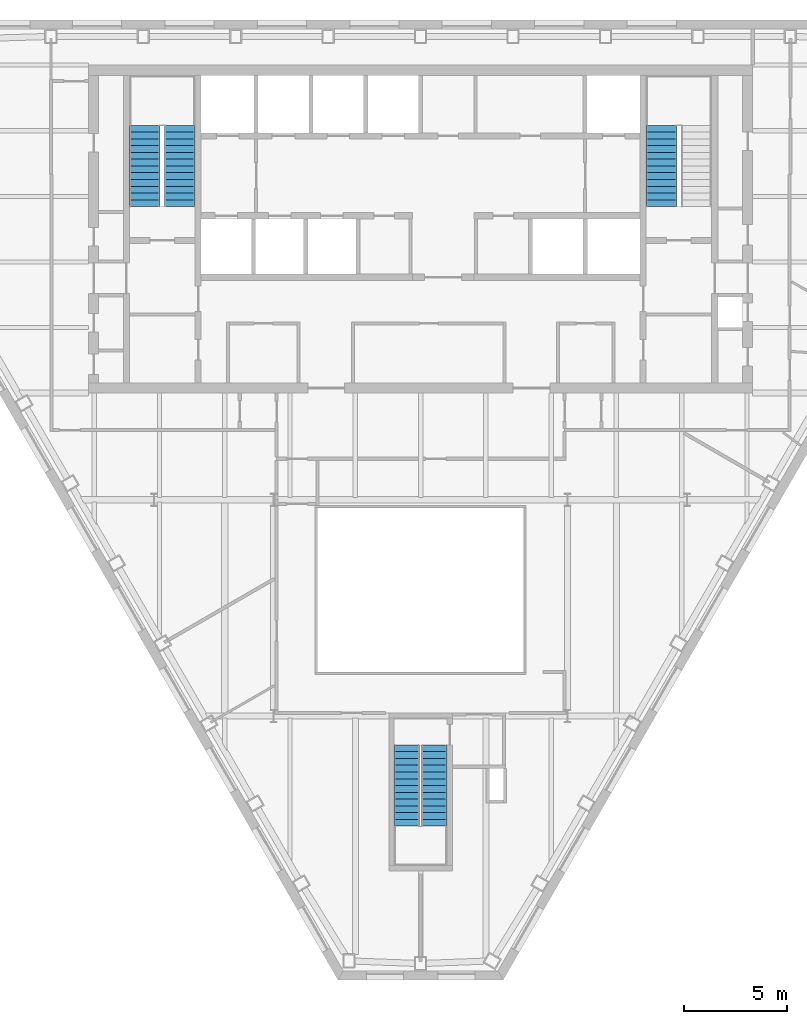
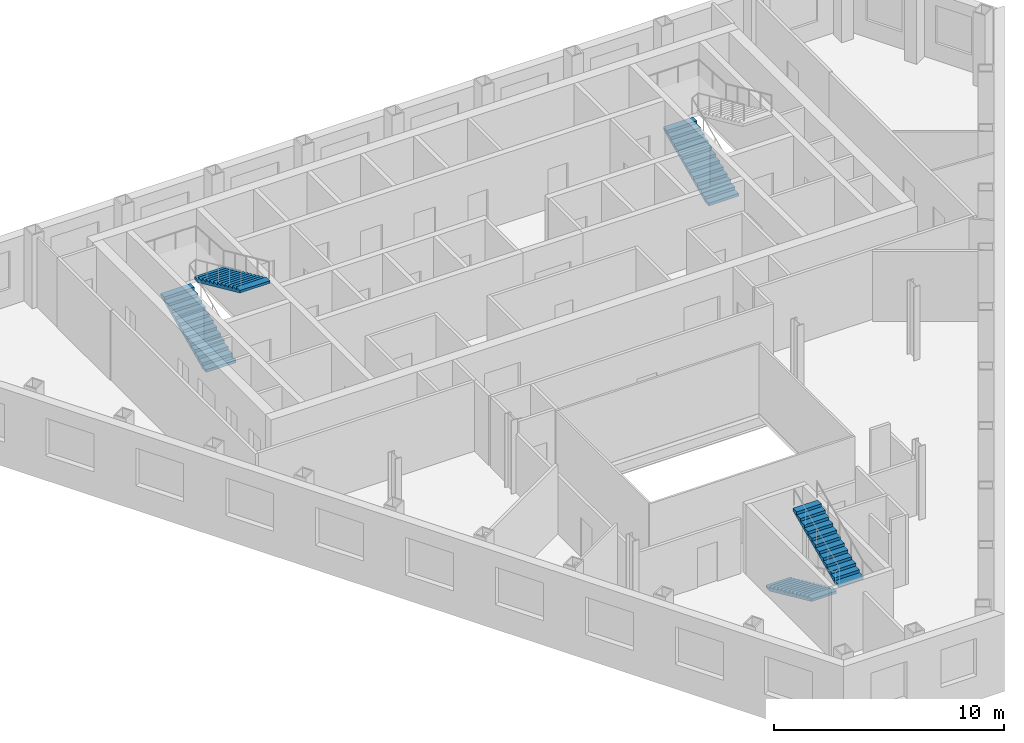
# One storey, part 9 of 11: 5 stair flights, 3 elements without a shape of their own.
"""IFC4 building model written with IfcOpenShell, lengths in metres."""

from ifc_helpers import new_model, si_unit, direction, frame, origin, place, context, subcontext, project, spatial, polygons, material, type_object, element, aggregate, save


model = new_model("IFC4")

# Units and contexts
model_context = context("Model", 3, precision=1e-05, world=origin(), true_north=direction((0.0, 1.0)))
body_context = subcontext(model_context, "Body", "Model", "MODEL_VIEW")
ifc_project = project(units=[si_unit("LENGTHUNIT", "METRE"), si_unit("AREAUNIT", "SQUARE_METRE"), si_unit("VOLUMEUNIT", "CUBIC_METRE"), si_unit("PLANEANGLEUNIT", "RADIAN"), si_unit("MASSUNIT", "GRAM", prefix="KILO")], contexts=[model_context])

# Site, building, storey
site_placement = place(None, origin())
site = spatial("IfcSite", under=ifc_project, at=site_placement, CompositionType="ELEMENT")
building_placement = place(site_placement, origin())
building = spatial("IfcBuilding", under=site, at=building_placement, Name="Njiva Tower", CompositionType="ELEMENT")
storey_placement = place(building_placement, frame((0.0, 0.0, 182.7)))
storey = spatial("IfcBuildingStorey", under=building, at=storey_placement, Name="L40", CompositionType="ELEMENT", Elevation=182.7)

# Stair, stair flights
ifc_material = material(Name="Concrete C40/50", Category="concrete")
stair_type_1 = type_object("IfcStairType", Name="ST1 Exit stair 1250", PredefinedType="HALF_TURN_STAIR", material=ifc_material)
stair_1_placement = place(storey_placement, origin())
stair_1 = element("IfcStair", 1, at=stair_1_placement, inside=storey, type_object=stair_type_1, Name="Stair C", PredefinedType="HALF_TURN_STAIR")
stair_flight_type_1 = type_object("IfcStairFlightType", Name="FL1 Stair flight 1250", PredefinedType="STRAIGHT", material=ifc_material)
stair_flight_1_placement = place(storey_placement, frame((-0.675, -15.16, 0.0), z_axis=(0.0, 0.0, 1.0), x_axis=(0.0, -1.0, 0.0)))
stair_flight_1 = element("IfcStairFlight", 2, at=stair_flight_1_placement, type_object=stair_flight_type_1, Name="ST-C flight 1", NumberOfRisers=13, NumberOfTreads=12, PredefinedType="STRAIGHT", RiserHeight=0.15, TreadLength=0.33, context=body_context, shape_type="Tessellation", body=[
    polygons([(0.0, 0.625, 0.0), (0.0, 0.3125, 0.0), (0.0, 0.0, 0.0), (0.0, -0.3125, 0.0), (0.0, -0.625, 0.0), (0.0, 0.625, 0.15), (0.0, 0.3125, 0.15), (0.0, 0.0, 0.15), (0.0, -0.3125, 0.15), (0.0, -0.625, 0.15), (0.33, 0.625, 0.15), (0.33, 0.3125, 0.15), (0.33, 0.0, 0.15), (0.33, -0.3125, 0.15), (0.33, -0.625, 0.15), (0.33, 0.625, 0.3), (0.33, 0.3125, 0.3), (0.33, 0.0, 0.3), (0.33, -0.3125, 0.3), (0.33, -0.625, 0.3), (0.66, 0.625, 0.3), (0.66, 0.3125, 0.3), (0.66, 0.0, 0.3), (0.66, -0.3125, 0.3), (0.66, -0.625, 0.3), (0.66, 0.625, 0.45), (0.66, 0.3125, 0.45), (0.66, 0.0, 0.45), (0.66, -0.3125, 0.45), (0.66, -0.625, 0.45), (0.99, 0.625, 0.45), (0.99, 0.3125, 0.45), (0.99, 0.0, 0.45), (0.99, -0.3125, 0.45), (0.99, -0.625, 0.45), (0.99, 0.625, 0.6), (0.99, 0.3125, 0.6), (0.99, 0.0, 0.6), (0.99, -0.3125, 0.6), (0.99, -0.625, 0.6), (1.32, 0.625, 0.6), (1.32, 0.3125, 0.6), (1.32, 0.0, 0.6), (1.32, -0.3125, 0.6), (1.32, -0.625, 0.6), (1.32, 0.625, 0.75), (1.32, 0.3125, 0.75), (1.32, 0.0, 0.75), (1.32, -0.3125, 0.75), (1.32, -0.625, 0.75), (1.65, 0.625, 0.75), (1.65, 0.3125, 0.75), (1.65, 0.0, 0.75), (1.65, -0.3125, 0.75), (1.65, -0.625, 0.75), (1.65, 0.625, 0.9), (1.65, 0.3125, 0.9), (1.65, 0.0, 0.9), (1.65, -0.3125, 0.9), (1.65, -0.625, 0.9), (1.98, 0.625, 0.9), (1.98, 0.3125, 0.9), (1.98, 0.0, 0.9), (1.98, -0.3125, 0.9), (1.98, -0.625, 0.9), (1.98, 0.625, 1.05), (1.98, 0.3125, 1.05), (1.98, 0.0, 1.05), (1.98, -0.3125, 1.05), (1.98, -0.625, 1.05), (2.31, 0.625, 1.05), (2.31, 0.3125, 1.05), (2.31, 0.0, 1.05), (2.31, -0.3125, 1.05), (2.31, -0.625, 1.05), (2.31, 0.625, 1.2), (2.31, 0.3125, 1.2), (2.31, 0.0, 1.2), (2.31, -0.3125, 1.2), (2.31, -0.625, 1.2), (2.64, 0.625, 1.2), (2.64, 0.3125, 1.2), (2.64, 0.0, 1.2), (2.64, -0.3125, 1.2), (2.64, -0.625, 1.2), (2.64, 0.625, 1.35), (2.64, 0.3125, 1.35), (2.64, 0.0, 1.35), (2.64, -0.3125, 1.35), (2.64, -0.625, 1.35), (2.97, 0.625, 1.35), (2.97, 0.3125, 1.35), (2.97, 0.0, 1.35), (2.97, -0.3125, 1.35), (2.97, -0.625, 1.35), (2.97, 0.625, 1.5), (2.97, 0.3125, 1.5), (2.97, 0.0, 1.5), (2.97, -0.3125, 1.5), (2.97, -0.625, 1.5), (3.3, 0.625, 1.5), (3.3, 0.3125, 1.5), (3.3, 0.0, 1.5), (3.3, -0.3125, 1.5), (3.3, -0.625, 1.5), (3.3, 0.625, 1.65), (3.3, 0.3125, 1.65), (3.3, 0.0, 1.65), (3.3, -0.3125, 1.65), (3.3, -0.625, 1.65), (3.63, 0.625, 1.65), (3.63, 0.3125, 1.65), (3.63, 0.0, 1.65), (3.63, -0.3125, 1.65), (3.63, -0.625, 1.65), (3.63, 0.625, 1.8), (3.63, 0.3125, 1.8), (3.63, 0.0, 1.8), (3.63, -0.3125, 1.8), (3.63, -0.625, 1.8), (3.96, 0.625, 1.8), (3.96, 0.3125, 1.8), (3.96, 0.0, 1.8), (3.96, -0.3125, 1.8), (3.96, -0.625, 1.8), (3.96, 0.625, 1.6682), (3.96, 0.3125, 1.6682), (3.96, 0.0, 1.6682), (3.96, -0.3125, 1.6682), (3.96, -0.625, 1.6682), (0.29, 0.625, 0.0), (0.29, 0.3125, 0.0), (0.29, 0.0, 0.0), (0.29, -0.3125, 0.0), (0.29, -0.625, 0.0)], [[[1, 6, 11, 16, 21, 26, 31, 36, 41, 46, 51, 56, 61, 66, 71, 76, 81, 86, 91, 96, 101, 106, 111, 116, 121, 126, 131]], [[135, 130, 125, 120, 115, 110, 105, 100, 95, 90, 85, 80, 75, 70, 65, 60, 55, 50, 45, 40, 35, 30, 25, 20, 15, 10, 5]], [[6, 1, 2, 7]], [[7, 2, 3, 8]], [[8, 3, 4, 9]], [[9, 4, 5, 10]], [[11, 6, 7, 12]], [[12, 7, 8, 13]], [[13, 8, 9, 14]], [[14, 9, 10, 15]], [[16, 11, 12, 17]], [[17, 12, 13, 18]], [[18, 13, 14, 19]], [[19, 14, 15, 20]], [[21, 16, 17, 22]], [[22, 17, 18, 23]], [[23, 18, 19, 24]], [[24, 19, 20, 25]], [[26, 21, 22, 27]], [[27, 22, 23, 28]], [[28, 23, 24, 29]], [[29, 24, 25, 30]], [[31, 26, 27, 32]], [[32, 27, 28, 33]], [[33, 28, 29, 34]], [[34, 29, 30, 35]], [[36, 31, 32, 37]], [[37, 32, 33, 38]], [[38, 33, 34, 39]], [[39, 34, 35, 40]], [[41, 36, 37, 42]], [[42, 37, 38, 43]], [[43, 38, 39, 44]], [[44, 39, 40, 45]], [[46, 41, 42, 47]], [[47, 42, 43, 48]], [[48, 43, 44, 49]], [[49, 44, 45, 50]], [[51, 46, 47, 52]], [[52, 47, 48, 53]], [[53, 48, 49, 54]], [[54, 49, 50, 55]], [[56, 51, 52, 57]], [[57, 52, 53, 58]], [[58, 53, 54, 59]], [[59, 54, 55, 60]], [[61, 56, 57, 62]], [[62, 57, 58, 63]], [[63, 58, 59, 64]], [[64, 59, 60, 65]], [[66, 61, 62, 67]], [[67, 62, 63, 68]], [[68, 63, 64, 69]], [[69, 64, 65, 70]], [[71, 66, 67, 72]], [[72, 67, 68, 73]], [[73, 68, 69, 74]], [[74, 69, 70, 75]], [[76, 71, 72, 77]], [[77, 72, 73, 78]], [[78, 73, 74, 79]], [[79, 74, 75, 80]], [[81, 76, 77, 82]], [[82, 77, 78, 83]], [[83, 78, 79, 84]], [[84, 79, 80, 85]], [[86, 81, 82, 87]], [[87, 82, 83, 88]], [[88, 83, 84, 89]], [[89, 84, 85, 90]], [[91, 86, 87, 92]], [[92, 87, 88, 93]], [[93, 88, 89, 94]], [[94, 89, 90, 95]], [[96, 91, 92, 97]], [[97, 92, 93, 98]], [[98, 93, 94, 99]], [[99, 94, 95, 100]], [[101, 96, 97, 102]], [[102, 97, 98, 103]], [[103, 98, 99, 104]], [[104, 99, 100, 105]], [[106, 101, 102, 107]], [[107, 102, 103, 108]], [[108, 103, 104, 109]], [[109, 104, 105, 110]], [[111, 106, 107, 112]], [[112, 107, 108, 113]], [[113, 108, 109, 114]], [[114, 109, 110, 115]], [[116, 111, 112, 117]], [[117, 112, 113, 118]], [[118, 113, 114, 119]], [[119, 114, 115, 120]], [[121, 116, 117, 122]], [[122, 117, 118, 123]], [[123, 118, 119, 124]], [[124, 119, 120, 125]], [[126, 121, 122, 127]], [[127, 122, 123, 128]], [[128, 123, 124, 129]], [[129, 124, 125, 130]], [[131, 126, 127, 132]], [[132, 127, 128, 133]], [[133, 128, 129, 134]], [[134, 129, 130, 135]], [[1, 131, 132, 2]], [[2, 132, 133, 3]], [[3, 133, 134, 4]], [[4, 134, 135, 5]]], closed=True),
])
stair_flight_2_placement = place(storey_placement, frame((0.675, -19.12, 1.95), z_axis=(0.0, 0.0, 1.0), x_axis=(0.0, 1.0, 0.0)))
stair_flight_2 = element("IfcStairFlight", 3, at=stair_flight_2_placement, type_object=stair_flight_type_1, Name="ST-C flight 2", NumberOfRisers=13, NumberOfTreads=12, PredefinedType="STRAIGHT", RiserHeight=0.15, TreadLength=0.33, context=body_context, shape_type="Tessellation", body=[
    polygons([(0.0, 0.625, 0.0), (0.0, 0.3125, 0.0), (0.0, 0.0, 0.0), (0.0, -0.3125, 0.0), (0.0, -0.625, 0.0), (0.0, 0.625, 0.15), (0.0, 0.3125, 0.15), (0.0, 0.0, 0.15), (0.0, -0.3125, 0.15), (0.0, -0.625, 0.15), (0.33, 0.625, 0.15), (0.33, 0.3125, 0.15), (0.33, 0.0, 0.15), (0.33, -0.3125, 0.15), (0.33, -0.625, 0.15), (0.33, 0.625, 0.3), (0.33, 0.3125, 0.3), (0.33, 0.0, 0.3), (0.33, -0.3125, 0.3), (0.33, -0.625, 0.3), (0.66, 0.625, 0.3), (0.66, 0.3125, 0.3), (0.66, 0.0, 0.3), (0.66, -0.3125, 0.3), (0.66, -0.625, 0.3), (0.66, 0.625, 0.45), (0.66, 0.3125, 0.45), (0.66, 0.0, 0.45), (0.66, -0.3125, 0.45), (0.66, -0.625, 0.45), (0.99, 0.625, 0.45), (0.99, 0.3125, 0.45), (0.99, 0.0, 0.45), (0.99, -0.3125, 0.45), (0.99, -0.625, 0.45), (0.99, 0.625, 0.6), (0.99, 0.3125, 0.6), (0.99, 0.0, 0.6), (0.99, -0.3125, 0.6), (0.99, -0.625, 0.6), (1.32, 0.625, 0.6), (1.32, 0.3125, 0.6), (1.32, 0.0, 0.6), (1.32, -0.3125, 0.6), (1.32, -0.625, 0.6), (1.32, 0.625, 0.75), (1.32, 0.3125, 0.75), (1.32, 0.0, 0.75), (1.32, -0.3125, 0.75), (1.32, -0.625, 0.75), (1.65, 0.625, 0.75), (1.65, 0.3125, 0.75), (1.65, 0.0, 0.75), (1.65, -0.3125, 0.75), (1.65, -0.625, 0.75), (1.65, 0.625, 0.9), (1.65, 0.3125, 0.9), (1.65, 0.0, 0.9), (1.65, -0.3125, 0.9), (1.65, -0.625, 0.9), (1.98, 0.625, 0.9), (1.98, 0.3125, 0.9), (1.98, 0.0, 0.9), (1.98, -0.3125, 0.9), (1.98, -0.625, 0.9), (1.98, 0.625, 1.05), (1.98, 0.3125, 1.05), (1.98, 0.0, 1.05), (1.98, -0.3125, 1.05), (1.98, -0.625, 1.05), (2.31, 0.625, 1.05), (2.31, 0.3125, 1.05), (2.31, 0.0, 1.05), (2.31, -0.3125, 1.05), (2.31, -0.625, 1.05), (2.31, 0.625, 1.2), (2.31, 0.3125, 1.2), (2.31, 0.0, 1.2), (2.31, -0.3125, 1.2), (2.31, -0.625, 1.2), (2.64, 0.625, 1.2), (2.64, 0.3125, 1.2), (2.64, 0.0, 1.2), (2.64, -0.3125, 1.2), (2.64, -0.625, 1.2), (2.64, 0.625, 1.35), (2.64, 0.3125, 1.35), (2.64, 0.0, 1.35), (2.64, -0.3125, 1.35), (2.64, -0.625, 1.35), (2.97, 0.625, 1.35), (2.97, 0.3125, 1.35), (2.97, 0.0, 1.35), (2.97, -0.3125, 1.35), (2.97, -0.625, 1.35), (2.97, 0.625, 1.5), (2.97, 0.3125, 1.5), (2.97, 0.0, 1.5), (2.97, -0.3125, 1.5), (2.97, -0.625, 1.5), (3.3, 0.625, 1.5), (3.3, 0.3125, 1.5), (3.3, 0.0, 1.5), (3.3, -0.3125, 1.5), (3.3, -0.625, 1.5), (3.3, 0.625, 1.65), (3.3, 0.3125, 1.65), (3.3, 0.0, 1.65), (3.3, -0.3125, 1.65), (3.3, -0.625, 1.65), (3.63, 0.625, 1.65), (3.63, 0.3125, 1.65), (3.63, 0.0, 1.65), (3.63, -0.3125, 1.65), (3.63, -0.625, 1.65), (3.63, 0.625, 1.8), (3.63, 0.3125, 1.8), (3.63, 0.0, 1.8), (3.63, -0.3125, 1.8), (3.63, -0.625, 1.8), (3.96, 0.625, 1.8), (3.96, 0.3125, 1.8), (3.96, 0.0, 1.8), (3.96, -0.3125, 1.8), (3.96, -0.625, 1.8), (3.96, 0.625, 1.6682), (3.96, 0.3125, 1.6682), (3.96, 0.0, 1.6682), (3.96, -0.3125, 1.6682), (3.96, -0.625, 1.6682), (0.29, 0.625, 0.0), (0.29, 0.3125, 0.0), (0.29, 0.0, 0.0), (0.29, -0.3125, 0.0), (0.29, -0.625, 0.0)], [[[1, 6, 11, 16, 21, 26, 31, 36, 41, 46, 51, 56, 61, 66, 71, 76, 81, 86, 91, 96, 101, 106, 111, 116, 121, 126, 131]], [[135, 130, 125, 120, 115, 110, 105, 100, 95, 90, 85, 80, 75, 70, 65, 60, 55, 50, 45, 40, 35, 30, 25, 20, 15, 10, 5]], [[6, 1, 2, 7]], [[7, 2, 3, 8]], [[8, 3, 4, 9]], [[9, 4, 5, 10]], [[11, 6, 7, 12]], [[12, 7, 8, 13]], [[13, 8, 9, 14]], [[14, 9, 10, 15]], [[16, 11, 12, 17]], [[17, 12, 13, 18]], [[18, 13, 14, 19]], [[19, 14, 15, 20]], [[21, 16, 17, 22]], [[22, 17, 18, 23]], [[23, 18, 19, 24]], [[24, 19, 20, 25]], [[26, 21, 22, 27]], [[27, 22, 23, 28]], [[28, 23, 24, 29]], [[29, 24, 25, 30]], [[31, 26, 27, 32]], [[32, 27, 28, 33]], [[33, 28, 29, 34]], [[34, 29, 30, 35]], [[36, 31, 32, 37]], [[37, 32, 33, 38]], [[38, 33, 34, 39]], [[39, 34, 35, 40]], [[41, 36, 37, 42]], [[42, 37, 38, 43]], [[43, 38, 39, 44]], [[44, 39, 40, 45]], [[46, 41, 42, 47]], [[47, 42, 43, 48]], [[48, 43, 44, 49]], [[49, 44, 45, 50]], [[51, 46, 47, 52]], [[52, 47, 48, 53]], [[53, 48, 49, 54]], [[54, 49, 50, 55]], [[56, 51, 52, 57]], [[57, 52, 53, 58]], [[58, 53, 54, 59]], [[59, 54, 55, 60]], [[61, 56, 57, 62]], [[62, 57, 58, 63]], [[63, 58, 59, 64]], [[64, 59, 60, 65]], [[66, 61, 62, 67]], [[67, 62, 63, 68]], [[68, 63, 64, 69]], [[69, 64, 65, 70]], [[71, 66, 67, 72]], [[72, 67, 68, 73]], [[73, 68, 69, 74]], [[74, 69, 70, 75]], [[76, 71, 72, 77]], [[77, 72, 73, 78]], [[78, 73, 74, 79]], [[79, 74, 75, 80]], [[81, 76, 77, 82]], [[82, 77, 78, 83]], [[83, 78, 79, 84]], [[84, 79, 80, 85]], [[86, 81, 82, 87]], [[87, 82, 83, 88]], [[88, 83, 84, 89]], [[89, 84, 85, 90]], [[91, 86, 87, 92]], [[92, 87, 88, 93]], [[93, 88, 89, 94]], [[94, 89, 90, 95]], [[96, 91, 92, 97]], [[97, 92, 93, 98]], [[98, 93, 94, 99]], [[99, 94, 95, 100]], [[101, 96, 97, 102]], [[102, 97, 98, 103]], [[103, 98, 99, 104]], [[104, 99, 100, 105]], [[106, 101, 102, 107]], [[107, 102, 103, 108]], [[108, 103, 104, 109]], [[109, 104, 105, 110]], [[111, 106, 107, 112]], [[112, 107, 108, 113]], [[113, 108, 109, 114]], [[114, 109, 110, 115]], [[116, 111, 112, 117]], [[117, 112, 113, 118]], [[118, 113, 114, 119]], [[119, 114, 115, 120]], [[121, 116, 117, 122]], [[122, 117, 118, 123]], [[123, 118, 119, 124]], [[124, 119, 120, 125]], [[126, 121, 122, 127]], [[127, 122, 123, 128]], [[128, 123, 124, 129]], [[129, 124, 125, 130]], [[131, 126, 127, 132]], [[132, 127, 128, 133]], [[133, 128, 129, 134]], [[134, 129, 130, 135]], [[1, 131, 132, 2]], [[2, 132, 133, 3]], [[3, 133, 134, 4]], [[4, 134, 135, 5]]], closed=True),
])
aggregate(stair_1, [stair_flight_1, stair_flight_2])

stair_type_2 = type_object("IfcStairType", Name="ST4 Exit stair 1500", PredefinedType="HALF_TURN_STAIR", material=ifc_material)
stair_2_placement = place(storey_placement, origin())
stair_2 = element("IfcStair", 4, at=stair_2_placement, inside=storey, type_object=stair_type_2, Name="Stair A", PredefinedType="HALF_TURN_STAIR")
stair_flight_type_2 = type_object("IfcStairFlightType", Name="FL4 Stair flight 1500", PredefinedType="STRAIGHT", material=ifc_material)
stair_flight_3_placement = place(storey_placement, frame((-13.45, 11.1, 0.0), z_axis=(0.0, 0.0, 1.0), x_axis=(0.0, 1.0, 0.0)))
stair_flight_3 = element("IfcStairFlight", 5, at=stair_flight_3_placement, type_object=stair_flight_type_2, Name="ST-A flight 1", NumberOfRisers=13, NumberOfTreads=12, PredefinedType="STRAIGHT", RiserHeight=0.15, TreadLength=0.33, context=body_context, shape_type="Tessellation", body=[
    polygons([(0.0, 0.75, 0.0), (0.0, 0.375, 0.0), (0.0, 0.0, 0.0), (0.0, -0.375, 0.0), (0.0, -0.75, 0.0), (0.0, 0.75, 0.15), (0.0, 0.375, 0.15), (0.0, 0.0, 0.15), (0.0, -0.375, 0.15), (0.0, -0.75, 0.15), (0.33, 0.75, 0.15), (0.33, 0.375, 0.15), (0.33, 0.0, 0.15), (0.33, -0.375, 0.15), (0.33, -0.75, 0.15), (0.33, 0.75, 0.3), (0.33, 0.375, 0.3), (0.33, 0.0, 0.3), (0.33, -0.375, 0.3), (0.33, -0.75, 0.3), (0.66, 0.75, 0.3), (0.66, 0.375, 0.3), (0.66, 0.0, 0.3), (0.66, -0.375, 0.3), (0.66, -0.75, 0.3), (0.66, 0.75, 0.45), (0.66, 0.375, 0.45), (0.66, 0.0, 0.45), (0.66, -0.375, 0.45), (0.66, -0.75, 0.45), (0.99, 0.75, 0.45), (0.99, 0.375, 0.45), (0.99, 0.0, 0.45), (0.99, -0.375, 0.45), (0.99, -0.75, 0.45), (0.99, 0.75, 0.6), (0.99, 0.375, 0.6), (0.99, 0.0, 0.6), (0.99, -0.375, 0.6), (0.99, -0.75, 0.6), (1.32, 0.75, 0.6), (1.32, 0.375, 0.6), (1.32, 0.0, 0.6), (1.32, -0.375, 0.6), (1.32, -0.75, 0.6), (1.32, 0.75, 0.75), (1.32, 0.375, 0.75), (1.32, 0.0, 0.75), (1.32, -0.375, 0.75), (1.32, -0.75, 0.75), (1.65, 0.75, 0.75), (1.65, 0.375, 0.75), (1.65, 0.0, 0.75), (1.65, -0.375, 0.75), (1.65, -0.75, 0.75), (1.65, 0.75, 0.9), (1.65, 0.375, 0.9), (1.65, 0.0, 0.9), (1.65, -0.375, 0.9), (1.65, -0.75, 0.9), (1.98, 0.75, 0.9), (1.98, 0.375, 0.9), (1.98, 0.0, 0.9), (1.98, -0.375, 0.9), (1.98, -0.75, 0.9), (1.98, 0.75, 1.05), (1.98, 0.375, 1.05), (1.98, 0.0, 1.05), (1.98, -0.375, 1.05), (1.98, -0.75, 1.05), (2.31, 0.75, 1.05), (2.31, 0.375, 1.05), (2.31, 0.0, 1.05), (2.31, -0.375, 1.05), (2.31, -0.75, 1.05), (2.31, 0.75, 1.2), (2.31, 0.375, 1.2), (2.31, 0.0, 1.2), (2.31, -0.375, 1.2), (2.31, -0.75, 1.2), (2.64, 0.75, 1.2), (2.64, 0.375, 1.2), (2.64, 0.0, 1.2), (2.64, -0.375, 1.2), (2.64, -0.75, 1.2), (2.64, 0.75, 1.35), (2.64, 0.375, 1.35), (2.64, 0.0, 1.35), (2.64, -0.375, 1.35), (2.64, -0.75, 1.35), (2.97, 0.75, 1.35), (2.97, 0.375, 1.35), (2.97, 0.0, 1.35), (2.97, -0.375, 1.35), (2.97, -0.75, 1.35), (2.97, 0.75, 1.5), (2.97, 0.375, 1.5), (2.97, 0.0, 1.5), (2.97, -0.375, 1.5), (2.97, -0.75, 1.5), (3.3, 0.75, 1.5), (3.3, 0.375, 1.5), (3.3, 0.0, 1.5), (3.3, -0.375, 1.5), (3.3, -0.75, 1.5), (3.3, 0.75, 1.65), (3.3, 0.375, 1.65), (3.3, 0.0, 1.65), (3.3, -0.375, 1.65), (3.3, -0.75, 1.65), (3.63, 0.75, 1.65), (3.63, 0.375, 1.65), (3.63, 0.0, 1.65), (3.63, -0.375, 1.65), (3.63, -0.75, 1.65), (3.63, 0.75, 1.8), (3.63, 0.375, 1.8), (3.63, 0.0, 1.8), (3.63, -0.375, 1.8), (3.63, -0.75, 1.8), (3.96, 0.75, 1.8), (3.96, 0.375, 1.8), (3.96, 0.0, 1.8), (3.96, -0.375, 1.8), (3.96, -0.75, 1.8), (3.96, 0.75, 1.6682), (3.96, 0.375, 1.6682), (3.96, 0.0, 1.6682), (3.96, -0.375, 1.6682), (3.96, -0.75, 1.6682), (0.29, 0.75, 0.0), (0.29, 0.375, 0.0), (0.29, 0.0, 0.0), (0.29, -0.375, 0.0), (0.29, -0.75, 0.0)], [[[1, 6, 11, 16, 21, 26, 31, 36, 41, 46, 51, 56, 61, 66, 71, 76, 81, 86, 91, 96, 101, 106, 111, 116, 121, 126, 131]], [[135, 130, 125, 120, 115, 110, 105, 100, 95, 90, 85, 80, 75, 70, 65, 60, 55, 50, 45, 40, 35, 30, 25, 20, 15, 10, 5]], [[6, 1, 2, 7]], [[7, 2, 3, 8]], [[8, 3, 4, 9]], [[9, 4, 5, 10]], [[11, 6, 7, 12]], [[12, 7, 8, 13]], [[13, 8, 9, 14]], [[14, 9, 10, 15]], [[16, 11, 12, 17]], [[17, 12, 13, 18]], [[18, 13, 14, 19]], [[19, 14, 15, 20]], [[21, 16, 17, 22]], [[22, 17, 18, 23]], [[23, 18, 19, 24]], [[24, 19, 20, 25]], [[26, 21, 22, 27]], [[27, 22, 23, 28]], [[28, 23, 24, 29]], [[29, 24, 25, 30]], [[31, 26, 27, 32]], [[32, 27, 28, 33]], [[33, 28, 29, 34]], [[34, 29, 30, 35]], [[36, 31, 32, 37]], [[37, 32, 33, 38]], [[38, 33, 34, 39]], [[39, 34, 35, 40]], [[41, 36, 37, 42]], [[42, 37, 38, 43]], [[43, 38, 39, 44]], [[44, 39, 40, 45]], [[46, 41, 42, 47]], [[47, 42, 43, 48]], [[48, 43, 44, 49]], [[49, 44, 45, 50]], [[51, 46, 47, 52]], [[52, 47, 48, 53]], [[53, 48, 49, 54]], [[54, 49, 50, 55]], [[56, 51, 52, 57]], [[57, 52, 53, 58]], [[58, 53, 54, 59]], [[59, 54, 55, 60]], [[61, 56, 57, 62]], [[62, 57, 58, 63]], [[63, 58, 59, 64]], [[64, 59, 60, 65]], [[66, 61, 62, 67]], [[67, 62, 63, 68]], [[68, 63, 64, 69]], [[69, 64, 65, 70]], [[71, 66, 67, 72]], [[72, 67, 68, 73]], [[73, 68, 69, 74]], [[74, 69, 70, 75]], [[76, 71, 72, 77]], [[77, 72, 73, 78]], [[78, 73, 74, 79]], [[79, 74, 75, 80]], [[81, 76, 77, 82]], [[82, 77, 78, 83]], [[83, 78, 79, 84]], [[84, 79, 80, 85]], [[86, 81, 82, 87]], [[87, 82, 83, 88]], [[88, 83, 84, 89]], [[89, 84, 85, 90]], [[91, 86, 87, 92]], [[92, 87, 88, 93]], [[93, 88, 89, 94]], [[94, 89, 90, 95]], [[96, 91, 92, 97]], [[97, 92, 93, 98]], [[98, 93, 94, 99]], [[99, 94, 95, 100]], [[101, 96, 97, 102]], [[102, 97, 98, 103]], [[103, 98, 99, 104]], [[104, 99, 100, 105]], [[106, 101, 102, 107]], [[107, 102, 103, 108]], [[108, 103, 104, 109]], [[109, 104, 105, 110]], [[111, 106, 107, 112]], [[112, 107, 108, 113]], [[113, 108, 109, 114]], [[114, 109, 110, 115]], [[116, 111, 112, 117]], [[117, 112, 113, 118]], [[118, 113, 114, 119]], [[119, 114, 115, 120]], [[121, 116, 117, 122]], [[122, 117, 118, 123]], [[123, 118, 119, 124]], [[124, 119, 120, 125]], [[126, 121, 122, 127]], [[127, 122, 123, 128]], [[128, 123, 124, 129]], [[129, 124, 125, 130]], [[131, 126, 127, 132]], [[132, 127, 128, 133]], [[133, 128, 129, 134]], [[134, 129, 130, 135]], [[1, 131, 132, 2]], [[2, 132, 133, 3]], [[3, 133, 134, 4]], [[4, 134, 135, 5]]], closed=True),
])
stair_flight_4_placement = place(storey_placement, frame((-11.75, 15.06, 1.95), z_axis=(0.0, 0.0, 1.0), x_axis=(0.0, -1.0, 0.0)))
stair_flight_4 = element("IfcStairFlight", 6, at=stair_flight_4_placement, type_object=stair_flight_type_2, Name="ST-A flight 2", NumberOfRisers=13, NumberOfTreads=12, PredefinedType="STRAIGHT", RiserHeight=0.15, TreadLength=0.33, context=body_context, shape_type="Tessellation", body=[
    polygons([(0.0, 0.75, 0.0), (0.0, 0.375, 0.0), (0.0, 0.0, 0.0), (0.0, -0.375, 0.0), (0.0, -0.75, 0.0), (0.0, 0.75, 0.15), (0.0, 0.375, 0.15), (0.0, 0.0, 0.15), (0.0, -0.375, 0.15), (0.0, -0.75, 0.15), (0.33, 0.75, 0.15), (0.33, 0.375, 0.15), (0.33, 0.0, 0.15), (0.33, -0.375, 0.15), (0.33, -0.75, 0.15), (0.33, 0.75, 0.3), (0.33, 0.375, 0.3), (0.33, 0.0, 0.3), (0.33, -0.375, 0.3), (0.33, -0.75, 0.3), (0.66, 0.75, 0.3), (0.66, 0.375, 0.3), (0.66, 0.0, 0.3), (0.66, -0.375, 0.3), (0.66, -0.75, 0.3), (0.66, 0.75, 0.45), (0.66, 0.375, 0.45), (0.66, 0.0, 0.45), (0.66, -0.375, 0.45), (0.66, -0.75, 0.45), (0.99, 0.75, 0.45), (0.99, 0.375, 0.45), (0.99, 0.0, 0.45), (0.99, -0.375, 0.45), (0.99, -0.75, 0.45), (0.99, 0.75, 0.6), (0.99, 0.375, 0.6), (0.99, 0.0, 0.6), (0.99, -0.375, 0.6), (0.99, -0.75, 0.6), (1.32, 0.75, 0.6), (1.32, 0.375, 0.6), (1.32, 0.0, 0.6), (1.32, -0.375, 0.6), (1.32, -0.75, 0.6), (1.32, 0.75, 0.75), (1.32, 0.375, 0.75), (1.32, 0.0, 0.75), (1.32, -0.375, 0.75), (1.32, -0.75, 0.75), (1.65, 0.75, 0.75), (1.65, 0.375, 0.75), (1.65, 0.0, 0.75), (1.65, -0.375, 0.75), (1.65, -0.75, 0.75), (1.65, 0.75, 0.9), (1.65, 0.375, 0.9), (1.65, 0.0, 0.9), (1.65, -0.375, 0.9), (1.65, -0.75, 0.9), (1.98, 0.75, 0.9), (1.98, 0.375, 0.9), (1.98, 0.0, 0.9), (1.98, -0.375, 0.9), (1.98, -0.75, 0.9), (1.98, 0.75, 1.05), (1.98, 0.375, 1.05), (1.98, 0.0, 1.05), (1.98, -0.375, 1.05), (1.98, -0.75, 1.05), (2.31, 0.75, 1.05), (2.31, 0.375, 1.05), (2.31, 0.0, 1.05), (2.31, -0.375, 1.05), (2.31, -0.75, 1.05), (2.31, 0.75, 1.2), (2.31, 0.375, 1.2), (2.31, 0.0, 1.2), (2.31, -0.375, 1.2), (2.31, -0.75, 1.2), (2.64, 0.75, 1.2), (2.64, 0.375, 1.2), (2.64, 0.0, 1.2), (2.64, -0.375, 1.2), (2.64, -0.75, 1.2), (2.64, 0.75, 1.35), (2.64, 0.375, 1.35), (2.64, 0.0, 1.35), (2.64, -0.375, 1.35), (2.64, -0.75, 1.35), (2.97, 0.75, 1.35), (2.97, 0.375, 1.35), (2.97, 0.0, 1.35), (2.97, -0.375, 1.35), (2.97, -0.75, 1.35), (2.97, 0.75, 1.5), (2.97, 0.375, 1.5), (2.97, 0.0, 1.5), (2.97, -0.375, 1.5), (2.97, -0.75, 1.5), (3.3, 0.75, 1.5), (3.3, 0.375, 1.5), (3.3, 0.0, 1.5), (3.3, -0.375, 1.5), (3.3, -0.75, 1.5), (3.3, 0.75, 1.65), (3.3, 0.375, 1.65), (3.3, 0.0, 1.65), (3.3, -0.375, 1.65), (3.3, -0.75, 1.65), (3.63, 0.75, 1.65), (3.63, 0.375, 1.65), (3.63, 0.0, 1.65), (3.63, -0.375, 1.65), (3.63, -0.75, 1.65), (3.63, 0.75, 1.8), (3.63, 0.375, 1.8), (3.63, 0.0, 1.8), (3.63, -0.375, 1.8), (3.63, -0.75, 1.8), (3.96, 0.75, 1.8), (3.96, 0.375, 1.8), (3.96, 0.0, 1.8), (3.96, -0.375, 1.8), (3.96, -0.75, 1.8), (3.96, 0.75, 1.6682), (3.96, 0.375, 1.6682), (3.96, 0.0, 1.6682), (3.96, -0.375, 1.6682), (3.96, -0.75, 1.6682), (0.29, 0.75, 0.0), (0.29, 0.375, 0.0), (0.29, 0.0, 0.0), (0.29, -0.375, 0.0), (0.29, -0.75, 0.0)], [[[1, 6, 11, 16, 21, 26, 31, 36, 41, 46, 51, 56, 61, 66, 71, 76, 81, 86, 91, 96, 101, 106, 111, 116, 121, 126, 131]], [[135, 130, 125, 120, 115, 110, 105, 100, 95, 90, 85, 80, 75, 70, 65, 60, 55, 50, 45, 40, 35, 30, 25, 20, 15, 10, 5]], [[6, 1, 2, 7]], [[7, 2, 3, 8]], [[8, 3, 4, 9]], [[9, 4, 5, 10]], [[11, 6, 7, 12]], [[12, 7, 8, 13]], [[13, 8, 9, 14]], [[14, 9, 10, 15]], [[16, 11, 12, 17]], [[17, 12, 13, 18]], [[18, 13, 14, 19]], [[19, 14, 15, 20]], [[21, 16, 17, 22]], [[22, 17, 18, 23]], [[23, 18, 19, 24]], [[24, 19, 20, 25]], [[26, 21, 22, 27]], [[27, 22, 23, 28]], [[28, 23, 24, 29]], [[29, 24, 25, 30]], [[31, 26, 27, 32]], [[32, 27, 28, 33]], [[33, 28, 29, 34]], [[34, 29, 30, 35]], [[36, 31, 32, 37]], [[37, 32, 33, 38]], [[38, 33, 34, 39]], [[39, 34, 35, 40]], [[41, 36, 37, 42]], [[42, 37, 38, 43]], [[43, 38, 39, 44]], [[44, 39, 40, 45]], [[46, 41, 42, 47]], [[47, 42, 43, 48]], [[48, 43, 44, 49]], [[49, 44, 45, 50]], [[51, 46, 47, 52]], [[52, 47, 48, 53]], [[53, 48, 49, 54]], [[54, 49, 50, 55]], [[56, 51, 52, 57]], [[57, 52, 53, 58]], [[58, 53, 54, 59]], [[59, 54, 55, 60]], [[61, 56, 57, 62]], [[62, 57, 58, 63]], [[63, 58, 59, 64]], [[64, 59, 60, 65]], [[66, 61, 62, 67]], [[67, 62, 63, 68]], [[68, 63, 64, 69]], [[69, 64, 65, 70]], [[71, 66, 67, 72]], [[72, 67, 68, 73]], [[73, 68, 69, 74]], [[74, 69, 70, 75]], [[76, 71, 72, 77]], [[77, 72, 73, 78]], [[78, 73, 74, 79]], [[79, 74, 75, 80]], [[81, 76, 77, 82]], [[82, 77, 78, 83]], [[83, 78, 79, 84]], [[84, 79, 80, 85]], [[86, 81, 82, 87]], [[87, 82, 83, 88]], [[88, 83, 84, 89]], [[89, 84, 85, 90]], [[91, 86, 87, 92]], [[92, 87, 88, 93]], [[93, 88, 89, 94]], [[94, 89, 90, 95]], [[96, 91, 92, 97]], [[97, 92, 93, 98]], [[98, 93, 94, 99]], [[99, 94, 95, 100]], [[101, 96, 97, 102]], [[102, 97, 98, 103]], [[103, 98, 99, 104]], [[104, 99, 100, 105]], [[106, 101, 102, 107]], [[107, 102, 103, 108]], [[108, 103, 104, 109]], [[109, 104, 105, 110]], [[111, 106, 107, 112]], [[112, 107, 108, 113]], [[113, 108, 109, 114]], [[114, 109, 110, 115]], [[116, 111, 112, 117]], [[117, 112, 113, 118]], [[118, 113, 114, 119]], [[119, 114, 115, 120]], [[121, 116, 117, 122]], [[122, 117, 118, 123]], [[123, 118, 119, 124]], [[124, 119, 120, 125]], [[126, 121, 122, 127]], [[127, 122, 123, 128]], [[128, 123, 124, 129]], [[129, 124, 125, 130]], [[131, 126, 127, 132]], [[132, 127, 128, 133]], [[133, 128, 129, 134]], [[134, 129, 130, 135]], [[1, 131, 132, 2]], [[2, 132, 133, 3]], [[3, 133, 134, 4]], [[4, 134, 135, 5]]], closed=True),
])
aggregate(stair_2, [stair_flight_3, stair_flight_4])

# Stair, stair flight
stair_3_placement = place(storey_placement, origin())
stair_3 = element("IfcStair", 7, at=stair_3_placement, inside=storey, type_object=stair_type_2, Name="Stair B", PredefinedType="HALF_TURN_STAIR")
stair_flight_5_placement = place(storey_placement, frame((11.75, 11.1, 0.0), z_axis=(0.0, 0.0, 1.0), x_axis=(0.0, 1.0, 0.0)))
stair_flight_5 = element("IfcStairFlight", 8, at=stair_flight_5_placement, type_object=stair_flight_type_2, Name="ST-B flight 1", NumberOfRisers=13, NumberOfTreads=12, PredefinedType="STRAIGHT", RiserHeight=0.15, TreadLength=0.33, context=body_context, shape_type="Tessellation", body=[
    polygons([(0.0, 0.75, 0.0), (0.0, 0.375, 0.0), (0.0, 0.0, 0.0), (0.0, -0.375, 0.0), (0.0, -0.75, 0.0), (0.0, 0.75, 0.15), (0.0, 0.375, 0.15), (0.0, 0.0, 0.15), (0.0, -0.375, 0.15), (0.0, -0.75, 0.15), (0.33, 0.75, 0.15), (0.33, 0.375, 0.15), (0.33, 0.0, 0.15), (0.33, -0.375, 0.15), (0.33, -0.75, 0.15), (0.33, 0.75, 0.3), (0.33, 0.375, 0.3), (0.33, 0.0, 0.3), (0.33, -0.375, 0.3), (0.33, -0.75, 0.3), (0.66, 0.75, 0.3), (0.66, 0.375, 0.3), (0.66, 0.0, 0.3), (0.66, -0.375, 0.3), (0.66, -0.75, 0.3), (0.66, 0.75, 0.45), (0.66, 0.375, 0.45), (0.66, 0.0, 0.45), (0.66, -0.375, 0.45), (0.66, -0.75, 0.45), (0.99, 0.75, 0.45), (0.99, 0.375, 0.45), (0.99, 0.0, 0.45), (0.99, -0.375, 0.45), (0.99, -0.75, 0.45), (0.99, 0.75, 0.6), (0.99, 0.375, 0.6), (0.99, 0.0, 0.6), (0.99, -0.375, 0.6), (0.99, -0.75, 0.6), (1.32, 0.75, 0.6), (1.32, 0.375, 0.6), (1.32, 0.0, 0.6), (1.32, -0.375, 0.6), (1.32, -0.75, 0.6), (1.32, 0.75, 0.75), (1.32, 0.375, 0.75), (1.32, 0.0, 0.75), (1.32, -0.375, 0.75), (1.32, -0.75, 0.75), (1.65, 0.75, 0.75), (1.65, 0.375, 0.75), (1.65, 0.0, 0.75), (1.65, -0.375, 0.75), (1.65, -0.75, 0.75), (1.65, 0.75, 0.9), (1.65, 0.375, 0.9), (1.65, 0.0, 0.9), (1.65, -0.375, 0.9), (1.65, -0.75, 0.9), (1.98, 0.75, 0.9), (1.98, 0.375, 0.9), (1.98, 0.0, 0.9), (1.98, -0.375, 0.9), (1.98, -0.75, 0.9), (1.98, 0.75, 1.05), (1.98, 0.375, 1.05), (1.98, 0.0, 1.05), (1.98, -0.375, 1.05), (1.98, -0.75, 1.05), (2.31, 0.75, 1.05), (2.31, 0.375, 1.05), (2.31, 0.0, 1.05), (2.31, -0.375, 1.05), (2.31, -0.75, 1.05), (2.31, 0.75, 1.2), (2.31, 0.375, 1.2), (2.31, 0.0, 1.2), (2.31, -0.375, 1.2), (2.31, -0.75, 1.2), (2.64, 0.75, 1.2), (2.64, 0.375, 1.2), (2.64, 0.0, 1.2), (2.64, -0.375, 1.2), (2.64, -0.75, 1.2), (2.64, 0.75, 1.35), (2.64, 0.375, 1.35), (2.64, 0.0, 1.35), (2.64, -0.375, 1.35), (2.64, -0.75, 1.35), (2.97, 0.75, 1.35), (2.97, 0.375, 1.35), (2.97, 0.0, 1.35), (2.97, -0.375, 1.35), (2.97, -0.75, 1.35), (2.97, 0.75, 1.5), (2.97, 0.375, 1.5), (2.97, 0.0, 1.5), (2.97, -0.375, 1.5), (2.97, -0.75, 1.5), (3.3, 0.75, 1.5), (3.3, 0.375, 1.5), (3.3, 0.0, 1.5), (3.3, -0.375, 1.5), (3.3, -0.75, 1.5), (3.3, 0.75, 1.65), (3.3, 0.375, 1.65), (3.3, 0.0, 1.65), (3.3, -0.375, 1.65), (3.3, -0.75, 1.65), (3.63, 0.75, 1.65), (3.63, 0.375, 1.65), (3.63, 0.0, 1.65), (3.63, -0.375, 1.65), (3.63, -0.75, 1.65), (3.63, 0.75, 1.8), (3.63, 0.375, 1.8), (3.63, 0.0, 1.8), (3.63, -0.375, 1.8), (3.63, -0.75, 1.8), (3.96, 0.75, 1.8), (3.96, 0.375, 1.8), (3.96, 0.0, 1.8), (3.96, -0.375, 1.8), (3.96, -0.75, 1.8), (3.96, 0.75, 1.6682), (3.96, 0.375, 1.6682), (3.96, 0.0, 1.6682), (3.96, -0.375, 1.6682), (3.96, -0.75, 1.6682), (0.29, 0.75, 0.0), (0.29, 0.375, 0.0), (0.29, 0.0, 0.0), (0.29, -0.375, 0.0), (0.29, -0.75, 0.0)], [[[1, 6, 11, 16, 21, 26, 31, 36, 41, 46, 51, 56, 61, 66, 71, 76, 81, 86, 91, 96, 101, 106, 111, 116, 121, 126, 131]], [[135, 130, 125, 120, 115, 110, 105, 100, 95, 90, 85, 80, 75, 70, 65, 60, 55, 50, 45, 40, 35, 30, 25, 20, 15, 10, 5]], [[6, 1, 2, 7]], [[7, 2, 3, 8]], [[8, 3, 4, 9]], [[9, 4, 5, 10]], [[11, 6, 7, 12]], [[12, 7, 8, 13]], [[13, 8, 9, 14]], [[14, 9, 10, 15]], [[16, 11, 12, 17]], [[17, 12, 13, 18]], [[18, 13, 14, 19]], [[19, 14, 15, 20]], [[21, 16, 17, 22]], [[22, 17, 18, 23]], [[23, 18, 19, 24]], [[24, 19, 20, 25]], [[26, 21, 22, 27]], [[27, 22, 23, 28]], [[28, 23, 24, 29]], [[29, 24, 25, 30]], [[31, 26, 27, 32]], [[32, 27, 28, 33]], [[33, 28, 29, 34]], [[34, 29, 30, 35]], [[36, 31, 32, 37]], [[37, 32, 33, 38]], [[38, 33, 34, 39]], [[39, 34, 35, 40]], [[41, 36, 37, 42]], [[42, 37, 38, 43]], [[43, 38, 39, 44]], [[44, 39, 40, 45]], [[46, 41, 42, 47]], [[47, 42, 43, 48]], [[48, 43, 44, 49]], [[49, 44, 45, 50]], [[51, 46, 47, 52]], [[52, 47, 48, 53]], [[53, 48, 49, 54]], [[54, 49, 50, 55]], [[56, 51, 52, 57]], [[57, 52, 53, 58]], [[58, 53, 54, 59]], [[59, 54, 55, 60]], [[61, 56, 57, 62]], [[62, 57, 58, 63]], [[63, 58, 59, 64]], [[64, 59, 60, 65]], [[66, 61, 62, 67]], [[67, 62, 63, 68]], [[68, 63, 64, 69]], [[69, 64, 65, 70]], [[71, 66, 67, 72]], [[72, 67, 68, 73]], [[73, 68, 69, 74]], [[74, 69, 70, 75]], [[76, 71, 72, 77]], [[77, 72, 73, 78]], [[78, 73, 74, 79]], [[79, 74, 75, 80]], [[81, 76, 77, 82]], [[82, 77, 78, 83]], [[83, 78, 79, 84]], [[84, 79, 80, 85]], [[86, 81, 82, 87]], [[87, 82, 83, 88]], [[88, 83, 84, 89]], [[89, 84, 85, 90]], [[91, 86, 87, 92]], [[92, 87, 88, 93]], [[93, 88, 89, 94]], [[94, 89, 90, 95]], [[96, 91, 92, 97]], [[97, 92, 93, 98]], [[98, 93, 94, 99]], [[99, 94, 95, 100]], [[101, 96, 97, 102]], [[102, 97, 98, 103]], [[103, 98, 99, 104]], [[104, 99, 100, 105]], [[106, 101, 102, 107]], [[107, 102, 103, 108]], [[108, 103, 104, 109]], [[109, 104, 105, 110]], [[111, 106, 107, 112]], [[112, 107, 108, 113]], [[113, 108, 109, 114]], [[114, 109, 110, 115]], [[116, 111, 112, 117]], [[117, 112, 113, 118]], [[118, 113, 114, 119]], [[119, 114, 115, 120]], [[121, 116, 117, 122]], [[122, 117, 118, 123]], [[123, 118, 119, 124]], [[124, 119, 120, 125]], [[126, 121, 122, 127]], [[127, 122, 123, 128]], [[128, 123, 124, 129]], [[129, 124, 125, 130]], [[131, 126, 127, 132]], [[132, 127, 128, 133]], [[133, 128, 129, 134]], [[134, 129, 130, 135]], [[1, 131, 132, 2]], [[2, 132, 133, 3]], [[3, 133, 134, 4]], [[4, 134, 135, 5]]], closed=True),
])
aggregate(stair_3, [stair_flight_5])

save(model, "model.ifc")
